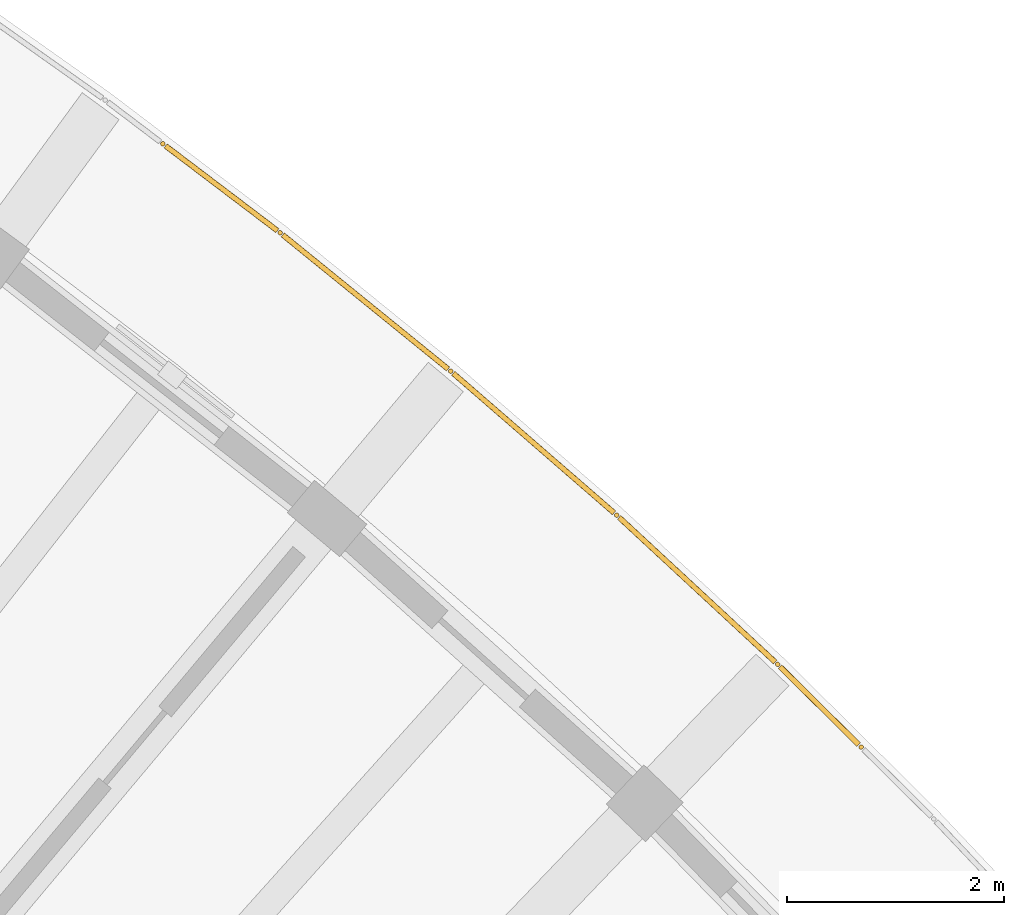
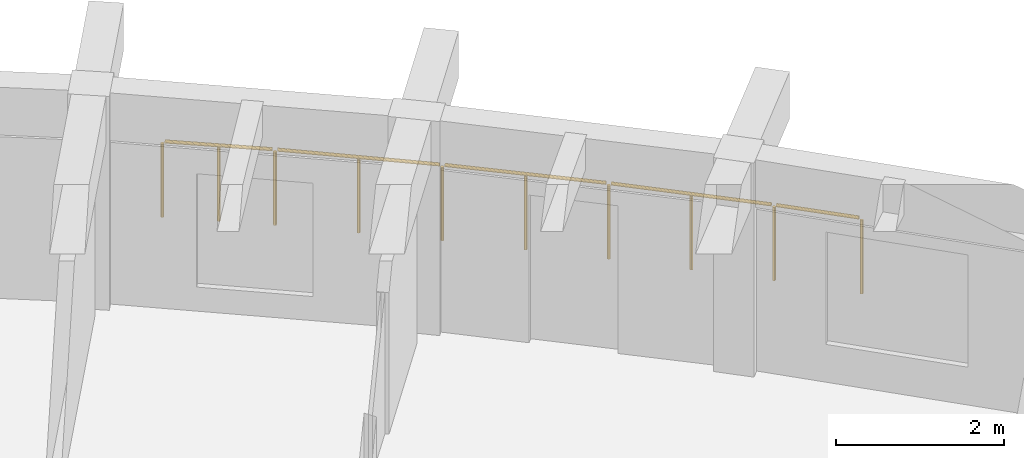
# One storey, part 62 of 62: 1 railing.
"""IFC4 building model written with IfcOpenShell, lengths in metres."""

import ifcopenshell
import ifcopenshell.guid

model = None  # the IFC model being written
_history = None  # IfcOwnerHistory: only IFC2X3 demands one
_inside = {}  # id of a spatial element -> (the spatial element, [elements in it])
_under = {}  # id of a project, library or spatial element -> (it, [spatial elements below it])
_declared = {}  # id of a project -> (the project, [libraries it declares])
_typed = {}  # id of a type object -> (the type object, [elements of that type])
_made_of = {}  # id of a material, layer set ... -> (it, [elements and type objects made of it])


def new_model(schema):
    """Start an empty IFC model of exactly this schema.

    Asked for "IFC4X3", IfcOpenShell would pick the latest addendum, in which some entities
    have other attributes; the version numbers below select the first issue.
    IFC2X3 requires an IfcOwnerHistory on every rooted entity: one is made here for all.
    """
    global model, _history
    if schema == "IFC4X3":
        model = ifcopenshell.file(schema_version=(4, 3, 0, 0))
    else:
        model = ifcopenshell.file(schema=schema)
    _inside.clear()
    _under.clear()
    _declared.clear()
    _typed.clear()
    _made_of.clear()
    _history = None
    if model.schema == "IFC2X3":
        org = make("IfcOrganization", Name="unknown")
        user = make(
            "IfcPersonAndOrganization",
            ThePerson=make("IfcPerson", FamilyName="unknown"),
            TheOrganization=org,
        )
        app = make(
            "IfcApplication",
            ApplicationDeveloper=org,
            Version="unknown",
            ApplicationFullName="unknown",
            ApplicationIdentifier="unknown",
        )
        _history = make(
            "IfcOwnerHistory",
            OwningUser=user,
            OwningApplication=app,
            ChangeAction="ADDED",
            CreationDate=0,
        )
    return model


def make(cls, **values):
    """One entity of the class cls with the attributes given. An attribute that is None is left unset."""
    return model.create_entity(
        cls, **{name: value for name, value in values.items() if value is not None}
    )


def rooted(cls, **values):
    """An entity with a GlobalId (a new one), such as an element, a storey or a relation."""
    return make(cls, GlobalId=ifcopenshell.guid.new(), OwnerHistory=_history, **values)


def si_unit(unit_type, name, prefix=None):
    """IfcSIUnit, for example si_unit("LENGTHUNIT", "METRE", prefix="MILLI")."""
    return make("IfcSIUnit", UnitType=unit_type, Prefix=prefix, Name=name)


def assignment(units):
    """IfcUnitAssignment: the units of a project."""
    return None if units is None else make("IfcUnitAssignment", Units=units)


def point(xyz):
    """IfcCartesianPoint."""
    return None if xyz is None else make("IfcCartesianPoint", Coordinates=xyz)


def direction(xyz):
    """IfcDirection."""
    return None if xyz is None else make("IfcDirection", DirectionRatios=xyz)


def frame(location, z_axis=None, x_axis=None):
    """IfcAxis2Placement3D, a coordinate frame: its origin and axes. An axis left out is left unset."""
    return make(
        "IfcAxis2Placement3D",
        Location=point(location),
        Axis=direction(z_axis),
        RefDirection=direction(x_axis),
    )


def frame_2d(location, x_axis=None):
    """IfcAxis2Placement2D, a coordinate frame in the plane: its origin and x axis."""
    return make(
        "IfcAxis2Placement2D", Location=point(location), RefDirection=direction(x_axis)
    )


def origin():
    """The frame at (0, 0, 0) with its axes left unset."""
    return frame((0.0, 0.0, 0.0))


def origin_2d():
    """The frame at (0, 0) in the plane with its x axis left unset."""
    return frame_2d((0.0, 0.0))


def place(relative_to, where):
    """IfcLocalPlacement: puts the frame where relative to a parent placement (None: the world)."""
    return make(
        "IfcLocalPlacement", PlacementRelTo=relative_to, RelativePlacement=where
    )


def context(
    kind, dimensions, precision=None, world=None, true_north=None, identifier=None
):
    """IfcGeometricRepresentationContext, for example the 3D "Model" context."""
    return make(
        "IfcGeometricRepresentationContext",
        ContextIdentifier=identifier,
        ContextType=kind,
        CoordinateSpaceDimension=dimensions,
        Precision=precision,
        WorldCoordinateSystem=world,
        TrueNorth=true_north,
    )


def subcontext(parent, identifier, kind, view, scale=None):
    """IfcGeometricRepresentationSubContext, for example "Body" below "Model"."""
    return make(
        "IfcGeometricRepresentationSubContext",
        ContextIdentifier=identifier,
        ContextType=kind,
        ParentContext=parent,
        TargetScale=scale,
        TargetView=view,
    )


def project(units=None, contexts=None):
    """IfcProject with its units and contexts."""
    return rooted(
        "IfcProject",
        Name="project",
        RepresentationContexts=contexts,
        UnitsInContext=assignment(units),
    )


def spatial(cls, under=None, at=None, **own):
    """A site, building, storey or space (cls), placed at a placement, below another one or the project."""
    s = rooted(cls, ObjectPlacement=at, **own)
    if under is not None:
        _under.setdefault(under.id(), (under, []))[1].append(s)
    return s


def profile(cls, at=None, kind="AREA", **sizes):
    """A parametric profile (cls). Its sizes go by their IFC names, for example OverallWidth=200.0."""
    return make(cls, ProfileType=kind, Position=at, **sizes)


def circle(**sizes):
    """IfcCircleProfileDef."""
    return profile("IfcCircleProfileDef", **sizes)


def extrude(swept, where, along, depth):
    """IfcExtrudedAreaSolid: the profile swept, set in the frame where, extruded along a direction by depth."""
    return make(
        "IfcExtrudedAreaSolid",
        SweptArea=swept,
        Position=where,
        ExtrudedDirection=direction(along),
        Depth=depth,
    )


def shape(context_of_items, identifier, shape_type, items):
    """IfcShapeRepresentation: the items that make up one representation, for example the "Body"."""
    return make(
        "IfcShapeRepresentation",
        ContextOfItems=context_of_items,
        RepresentationIdentifier=identifier,
        RepresentationType=shape_type,
        Items=items,
    )


def material(Name=None, Category=None):
    """IfcMaterial."""
    return make("IfcMaterial", Name=Name, Category=Category)


def made_of(thing, what):
    """Note that an element or type object is made of a material, layer set ...; save() writes the relation."""
    if what is not None:
        _made_of.setdefault(what.id(), (what, []))[1].append(thing)
    return thing


def type_object(cls, material=None, **own):
    """A type object (cls), such as IfcWallType, which elements share."""
    return made_of(rooted(cls, **own), material)


def element(
    cls,
    number,
    at=None,
    inside=None,
    cuts=None,
    type_object=None,
    material=None,
    context=None,
    identifier="Body",
    shape_type=None,
    held_by="IfcProductDefinitionShape",
    body=None,
    shapes=None,
    **own,
):
    """One element of the class cls, such as IfcWall. Its Tag is "e" and its number.

    at: its placement. inside: the storey or other place that contains it. cuts: it is an
    opening in that element (IfcRelVoidsElement). A single representation is given by context,
    identifier, shape_type and body (its items); several are given by shapes. held_by: the class
    of the entity that holds the representations. save() writes the other relations.
    """
    e = rooted(cls, Tag="e%d" % number, ObjectPlacement=at, **own)
    if body is not None:
        shapes = [shape(context, identifier, shape_type, body)]
    if shapes is not None:
        e.Representation = make(held_by, Representations=shapes)
    if inside is not None:
        _inside.setdefault(inside.id(), (inside, []))[1].append(e)
    if cuts is not None:
        rooted(
            "IfcRelVoidsElement", RelatingBuildingElement=cuts, RelatedOpeningElement=e
        )
    if type_object is not None:
        _typed.setdefault(type_object.id(), (type_object, []))[1].append(e)
    return made_of(e, material)


def aggregate(whole, parts):
    """IfcRelAggregates: a whole, such as a stair, and the parts it consists of."""
    return rooted("IfcRelAggregates", RelatingObject=whole, RelatedObjects=parts)


def save(model, path):
    """Write the relations noted so far, then the file.

    IfcRelAggregates (storeys below a building ...), IfcRelContainedInSpatialStructure (elements
    in a storey), IfcRelDefinesByType, IfcRelAssociatesMaterial and IfcRelDeclares: one each for
    every whole, place, type object, material and project.
    """
    for whole, parts in _under.values():
        aggregate(whole, parts)
    for where, things in _inside.values():
        rooted(
            "IfcRelContainedInSpatialStructure",
            RelatedElements=things,
            RelatingStructure=where,
        )
    for kind, things in _typed.values():
        rooted("IfcRelDefinesByType", RelatedObjects=things, RelatingType=kind)
    for what, things in _made_of.values():
        rooted("IfcRelAssociatesMaterial", RelatedObjects=things, RelatingMaterial=what)
    for by, libraries in _declared.values():
        rooted("IfcRelDeclares", RelatingContext=by, RelatedDefinitions=libraries)
    model.write(path)


model = new_model("IFC4")

# Units and contexts
model_context = context("Model", 3, precision=1e-05, world=origin(), true_north=direction((0.0, 1.0)))
body_context = subcontext(model_context, "Body", "Model", "MODEL_VIEW")
ifc_project = project(units=[si_unit("LENGTHUNIT", "METRE"), si_unit("AREAUNIT", "SQUARE_METRE"), si_unit("VOLUMEUNIT", "CUBIC_METRE"), si_unit("PLANEANGLEUNIT", "RADIAN"), si_unit("MASSUNIT", "GRAM", prefix="KILO")], contexts=[model_context])

# Site, building, storey
site_placement = place(None, origin())
site = spatial("IfcSite", under=ifc_project, at=site_placement, CompositionType="ELEMENT")
building_placement = place(site_placement, origin())
building = spatial("IfcBuilding", under=site, at=building_placement, Name="Tanwirah Colonnade Gardens", CompositionType="ELEMENT")
storey_placement = place(building_placement, frame((0.0, 0.0, 32.360107421875)))
storey = spatial("IfcBuildingStorey", under=building, at=storey_placement, Name="L09", CompositionType="ELEMENT", Elevation=32.360107421875)

# Railing
ifc_material = material(Name="Precast concrete C40/50", Category="concrete")
railing_type = type_object("IfcRailingType", Name="BAL-EXT112", PredefinedType="BALUSTRADE", material=ifc_material)
railing_placement = place(storey_placement, frame((157.7666015625, 109.265869140625, 0.0)))
element("IfcRailing", 1, at=railing_placement, inside=storey, type_object=railing_type, Name="Block B L09 Balcony Ribbon Balustrade 13", PredefinedType="BALUSTRADE", context=body_context, shape_type="SweptSolid", body=[
    extrude(circle(Radius=0.02392578125, at=origin_2d()), frame((0.02490234375, -0.018798828125, 1.09619140625), z_axis=(0.796852848681, -0.604173433336, 0.0), x_axis=(0.604173433336, 0.796852848681, 0.0)), (0.0, 0.0, 1.0), 1.2919921875),
    extrude(circle(Radius=0.02392578125, at=origin_2d()), frame((1.103515625, -0.838134765625, 1.09619140625), z_axis=(0.776549722569, -0.630055972417, 0.0), x_axis=(0.630055972417, 0.776549722569, 0.0)), (0.0, 0.0, 1.0), 1.958984375),
    extrude(circle(Radius=0.02392578125, at=origin_2d()), frame((2.6728515625, -2.112548828125, 1.09619140625), z_axis=(0.755338292497, -0.655335077565, 0.0), x_axis=(0.655335077565, 0.755338292497, 0.0)), (0.0, 0.0, 1.0), 1.958984375),
    extrude(circle(Radius=0.02392578125, at=origin_2d()), frame((4.198974609375, -3.43798828125, 1.09619140625), z_axis=(0.733352454033, -0.679848643569, 0.0), x_axis=(0.679848643569, 0.733352454033, 0.0)), (0.0, 0.0, 1.0), 1.958984375),
    extrude(circle(Radius=0.02392578125, at=origin_2d()), frame((5.6806640625, -4.81298828125, 1.09619140625), z_axis=(0.710486236113, -0.70371109718, 0.0), x_axis=(0.70371109718, 0.710486236113, 0.0)), (0.0, 0.0, 1.0), 1.0185546875),
    extrude(circle(Radius=0.02099609375, at=origin_2d()), origin(), (0.0, 0.0, 1.0), 1.069091796875),
    extrude(circle(Radius=0.02099609375, at=origin_2d()), frame((0.53955078125, -0.4091796875, 0.0)), (0.0, 0.0, 1.0), 1.069091796875),
    extrude(circle(Radius=0.02099609375, at=origin_2d()), frame((1.079345703125, -0.818359375, 0.0)), (0.0, 0.0, 1.0), 1.069091796875),
    extrude(circle(Radius=0.02099609375, at=origin_2d()), frame((1.8642578125, -1.455078125, 0.0)), (0.0, 0.0, 1.0), 1.069091796875),
    extrude(circle(Radius=0.02099609375, at=origin_2d()), frame((2.649169921875, -2.092041015625, 0.0)), (0.0, 0.0, 1.0), 1.069091796875),
    extrude(circle(Radius=0.02099609375, at=origin_2d()), frame((3.41259765625, -2.75439453125, 0.0)), (0.0, 0.0, 1.0), 1.069091796875),
    extrude(circle(Radius=0.02099609375, at=origin_2d()), frame((4.176025390625, -3.416748046875, 0.0)), (0.0, 0.0, 1.0), 1.069091796875),
    extrude(circle(Radius=0.02099609375, at=origin_2d()), frame((4.917236328125, -4.10400390625, 0.0)), (0.0, 0.0, 1.0), 1.069091796875),
    extrude(circle(Radius=0.02099609375, at=origin_2d()), frame((5.658447265625, -4.791015625, 0.0)), (0.0, 0.0, 1.0), 1.069091796875),
    extrude(circle(Radius=0.02099609375, at=origin_2d()), frame((6.426513671875, -5.5517578125, 0.0)), (0.0, 0.0, 1.0), 1.069091796875),
])

save(model, "model.ifc")
